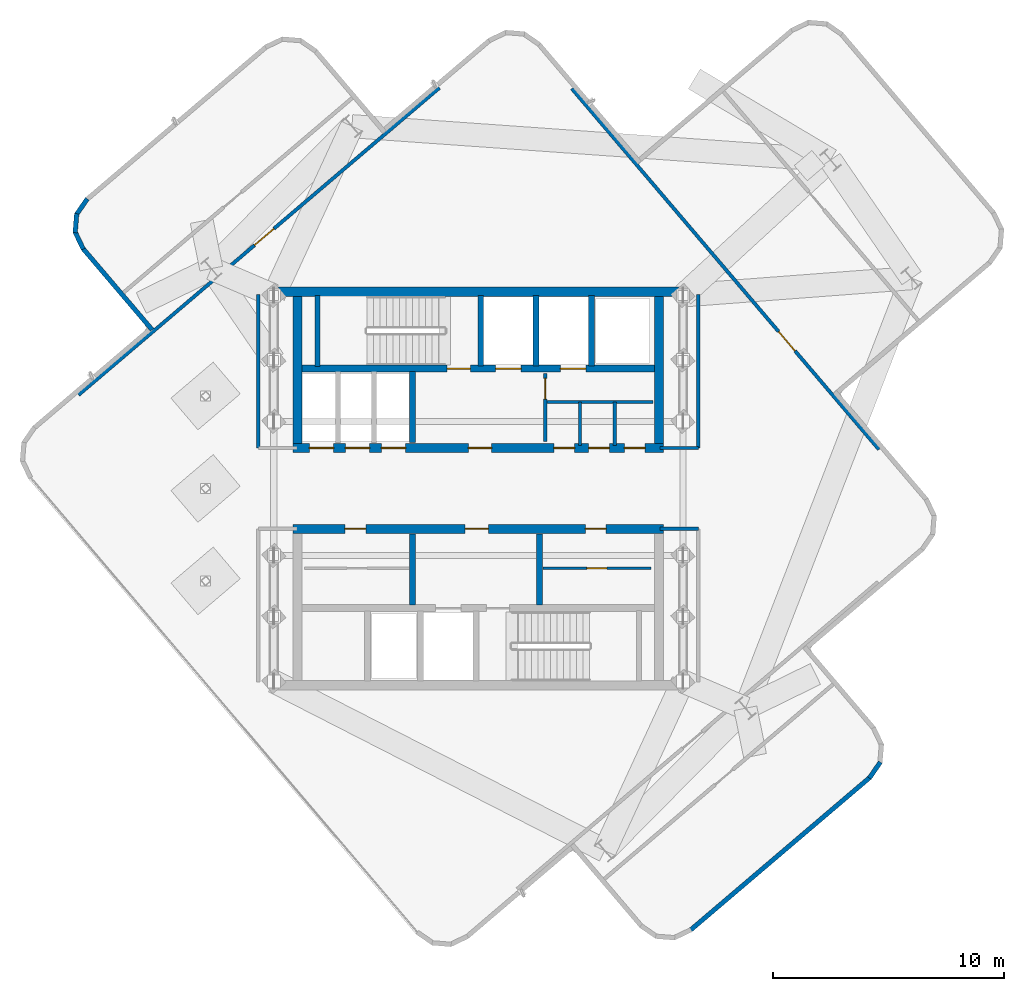
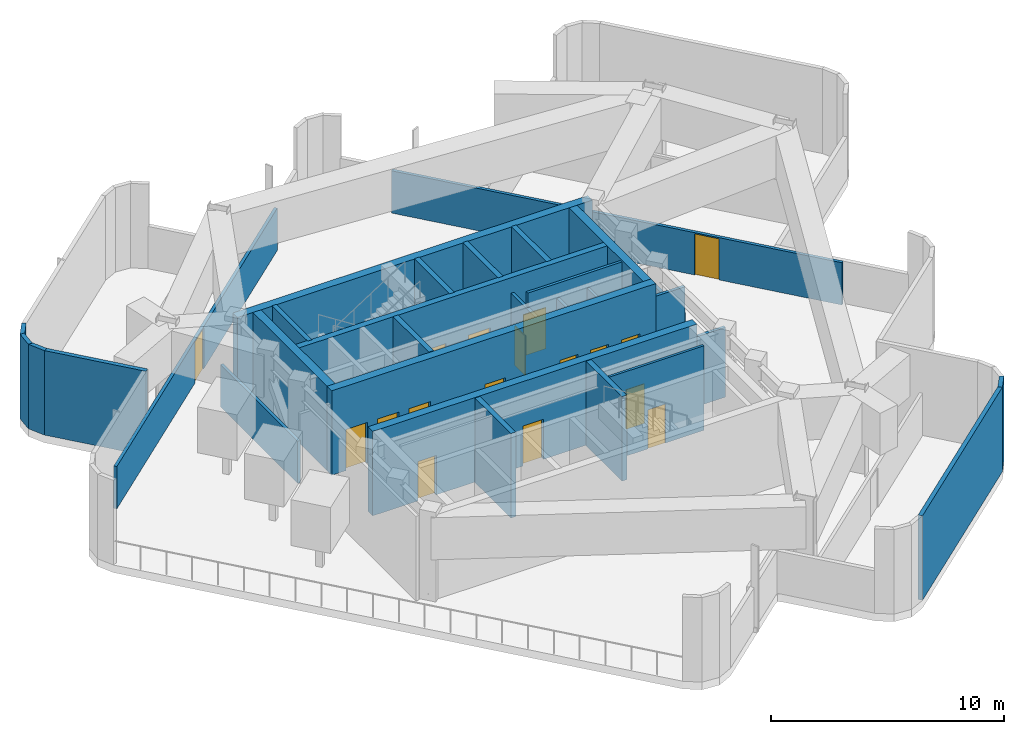
# One storey, part 3 of 7: 30 walls, 17 doors, 17 openings.
"""IFC4 building model written with IfcOpenShell, lengths in metres."""

import ifcopenshell
import ifcopenshell.guid

model = None  # the IFC model being written
_history = None  # IfcOwnerHistory: only IFC2X3 demands one
_inside = {}  # id of a spatial element -> (the spatial element, [elements in it])
_under = {}  # id of a project, library or spatial element -> (it, [spatial elements below it])
_declared = {}  # id of a project -> (the project, [libraries it declares])
_typed = {}  # id of a type object -> (the type object, [elements of that type])
_made_of = {}  # id of a material, layer set ... -> (it, [elements and type objects made of it])


def new_model(schema):
    """Start an empty IFC model of exactly this schema.

    Asked for "IFC4X3", IfcOpenShell would pick the latest addendum, in which some entities
    have other attributes; the version numbers below select the first issue.
    IFC2X3 requires an IfcOwnerHistory on every rooted entity: one is made here for all.
    """
    global model, _history
    if schema == "IFC4X3":
        model = ifcopenshell.file(schema_version=(4, 3, 0, 0))
    else:
        model = ifcopenshell.file(schema=schema)
    _inside.clear()
    _under.clear()
    _declared.clear()
    _typed.clear()
    _made_of.clear()
    _history = None
    if model.schema == "IFC2X3":
        org = make("IfcOrganization", Name="unknown")
        user = make(
            "IfcPersonAndOrganization",
            ThePerson=make("IfcPerson", FamilyName="unknown"),
            TheOrganization=org,
        )
        app = make(
            "IfcApplication",
            ApplicationDeveloper=org,
            Version="unknown",
            ApplicationFullName="unknown",
            ApplicationIdentifier="unknown",
        )
        _history = make(
            "IfcOwnerHistory",
            OwningUser=user,
            OwningApplication=app,
            ChangeAction="ADDED",
            CreationDate=0,
        )
    return model


def make(cls, **values):
    """One entity of the class cls with the attributes given. An attribute that is None is left unset."""
    return model.create_entity(
        cls, **{name: value for name, value in values.items() if value is not None}
    )


def rooted(cls, **values):
    """An entity with a GlobalId (a new one), such as an element, a storey or a relation."""
    return make(cls, GlobalId=ifcopenshell.guid.new(), OwnerHistory=_history, **values)


def si_unit(unit_type, name, prefix=None):
    """IfcSIUnit, for example si_unit("LENGTHUNIT", "METRE", prefix="MILLI")."""
    return make("IfcSIUnit", UnitType=unit_type, Prefix=prefix, Name=name)


def assignment(units):
    """IfcUnitAssignment: the units of a project."""
    return None if units is None else make("IfcUnitAssignment", Units=units)


def point(xyz):
    """IfcCartesianPoint."""
    return None if xyz is None else make("IfcCartesianPoint", Coordinates=xyz)


def direction(xyz):
    """IfcDirection."""
    return None if xyz is None else make("IfcDirection", DirectionRatios=xyz)


def frame(location, z_axis=None, x_axis=None):
    """IfcAxis2Placement3D, a coordinate frame: its origin and axes. An axis left out is left unset."""
    return make(
        "IfcAxis2Placement3D",
        Location=point(location),
        Axis=direction(z_axis),
        RefDirection=direction(x_axis),
    )


def frame_2d(location, x_axis=None):
    """IfcAxis2Placement2D, a coordinate frame in the plane: its origin and x axis."""
    return make(
        "IfcAxis2Placement2D", Location=point(location), RefDirection=direction(x_axis)
    )


def origin():
    """The frame at (0, 0, 0) with its axes left unset."""
    return frame((0.0, 0.0, 0.0))


def place(relative_to, where):
    """IfcLocalPlacement: puts the frame where relative to a parent placement (None: the world)."""
    return make(
        "IfcLocalPlacement", PlacementRelTo=relative_to, RelativePlacement=where
    )


def context(
    kind, dimensions, precision=None, world=None, true_north=None, identifier=None
):
    """IfcGeometricRepresentationContext, for example the 3D "Model" context."""
    return make(
        "IfcGeometricRepresentationContext",
        ContextIdentifier=identifier,
        ContextType=kind,
        CoordinateSpaceDimension=dimensions,
        Precision=precision,
        WorldCoordinateSystem=world,
        TrueNorth=true_north,
    )


def subcontext(parent, identifier, kind, view, scale=None):
    """IfcGeometricRepresentationSubContext, for example "Body" below "Model"."""
    return make(
        "IfcGeometricRepresentationSubContext",
        ContextIdentifier=identifier,
        ContextType=kind,
        ParentContext=parent,
        TargetScale=scale,
        TargetView=view,
    )


def project(units=None, contexts=None):
    """IfcProject with its units and contexts."""
    return rooted(
        "IfcProject",
        Name="project",
        RepresentationContexts=contexts,
        UnitsInContext=assignment(units),
    )


def spatial(cls, under=None, at=None, **own):
    """A site, building, storey or space (cls), placed at a placement, below another one or the project."""
    s = rooted(cls, ObjectPlacement=at, **own)
    if under is not None:
        _under.setdefault(under.id(), (under, []))[1].append(s)
    return s


def profile(cls, at=None, kind="AREA", **sizes):
    """A parametric profile (cls). Its sizes go by their IFC names, for example OverallWidth=200.0."""
    return make(cls, ProfileType=kind, Position=at, **sizes)


def rectangle(**sizes):
    """IfcRectangleProfileDef."""
    return profile("IfcRectangleProfileDef", **sizes)


def extrude(swept, where, along, depth):
    """IfcExtrudedAreaSolid: the profile swept, set in the frame where, extruded along a direction by depth."""
    return make(
        "IfcExtrudedAreaSolid",
        SweptArea=swept,
        Position=where,
        ExtrudedDirection=direction(along),
        Depth=depth,
    )


def shape(context_of_items, identifier, shape_type, items):
    """IfcShapeRepresentation: the items that make up one representation, for example the "Body"."""
    return make(
        "IfcShapeRepresentation",
        ContextOfItems=context_of_items,
        RepresentationIdentifier=identifier,
        RepresentationType=shape_type,
        Items=items,
    )


def material(Name=None, Category=None):
    """IfcMaterial."""
    return make("IfcMaterial", Name=Name, Category=Category)


def layer(
    of_material, thickness, ventilated=None, Name=None, Category=None, Priority=None
):
    """IfcMaterialLayer: one layer of a wall or slab, of a material (None: an air gap)."""
    return make(
        "IfcMaterialLayer",
        Material=of_material,
        LayerThickness=thickness,
        IsVentilated=ventilated,
        Name=Name,
        Category=Category,
        Priority=Priority,
    )


def layer_set(layers, Name=None):
    """IfcMaterialLayerSet."""
    return make("IfcMaterialLayerSet", MaterialLayers=layers, LayerSetName=Name)


def made_of(thing, what):
    """Note that an element or type object is made of a material, layer set ...; save() writes the relation."""
    if what is not None:
        _made_of.setdefault(what.id(), (what, []))[1].append(thing)
    return thing


def type_object(cls, material=None, **own):
    """A type object (cls), such as IfcWallType, which elements share."""
    return made_of(rooted(cls, **own), material)


def element(
    cls,
    number,
    at=None,
    inside=None,
    cuts=None,
    type_object=None,
    material=None,
    context=None,
    identifier="Body",
    shape_type=None,
    held_by="IfcProductDefinitionShape",
    body=None,
    shapes=None,
    **own,
):
    """One element of the class cls, such as IfcWall. Its Tag is "e" and its number.

    at: its placement. inside: the storey or other place that contains it. cuts: it is an
    opening in that element (IfcRelVoidsElement). A single representation is given by context,
    identifier, shape_type and body (its items); several are given by shapes. held_by: the class
    of the entity that holds the representations. save() writes the other relations.
    """
    e = rooted(cls, Tag="e%d" % number, ObjectPlacement=at, **own)
    if body is not None:
        shapes = [shape(context, identifier, shape_type, body)]
    if shapes is not None:
        e.Representation = make(held_by, Representations=shapes)
    if inside is not None:
        _inside.setdefault(inside.id(), (inside, []))[1].append(e)
    if cuts is not None:
        rooted(
            "IfcRelVoidsElement", RelatingBuildingElement=cuts, RelatedOpeningElement=e
        )
    if type_object is not None:
        _typed.setdefault(type_object.id(), (type_object, []))[1].append(e)
    return made_of(e, material)


def fill(opening, filler):
    """IfcRelFillsElement: the door or window that sits in an opening."""
    return rooted(
        "IfcRelFillsElement",
        RelatingOpeningElement=opening,
        RelatedBuildingElement=filler,
    )


def aggregate(whole, parts):
    """IfcRelAggregates: a whole, such as a stair, and the parts it consists of."""
    return rooted("IfcRelAggregates", RelatingObject=whole, RelatedObjects=parts)


def save(model, path):
    """Write the relations noted so far, then the file.

    IfcRelAggregates (storeys below a building ...), IfcRelContainedInSpatialStructure (elements
    in a storey), IfcRelDefinesByType, IfcRelAssociatesMaterial and IfcRelDeclares: one each for
    every whole, place, type object, material and project.
    """
    for whole, parts in _under.values():
        aggregate(whole, parts)
    for where, things in _inside.values():
        rooted(
            "IfcRelContainedInSpatialStructure",
            RelatedElements=things,
            RelatingStructure=where,
        )
    for kind, things in _typed.values():
        rooted("IfcRelDefinesByType", RelatedObjects=things, RelatingType=kind)
    for what, things in _made_of.values():
        rooted("IfcRelAssociatesMaterial", RelatedObjects=things, RelatingMaterial=what)
    for by, libraries in _declared.values():
        rooted("IfcRelDeclares", RelatingContext=by, RelatedDefinitions=libraries)
    model.write(path)


model = new_model("IFC4")

# Units and contexts
model_context = context("Model", 3, precision=1e-05, world=origin(), true_north=direction((0.0, 1.0)))
body_context = subcontext(model_context, "Body", "Model", "MODEL_VIEW")
ifc_project = project(units=[si_unit("LENGTHUNIT", "METRE"), si_unit("AREAUNIT", "SQUARE_METRE"), si_unit("VOLUMEUNIT", "CUBIC_METRE"), si_unit("PLANEANGLEUNIT", "RADIAN"), si_unit("MASSUNIT", "GRAM", prefix="KILO")], contexts=[model_context])

# Site, building, storey
site_placement = place(None, origin())
site = spatial("IfcSite", under=ifc_project, at=site_placement, CompositionType="ELEMENT")
building_placement = place(site_placement, origin())
building = spatial("IfcBuilding", under=site, at=building_placement, Name="Solmarez Civic Tower", CompositionType="ELEMENT")
storey_placement = place(building_placement, frame((0.0, 0.0, 239.39990234375)))
storey = spatial("IfcBuildingStorey", under=building, at=storey_placement, Name="L64", CompositionType="ELEMENT", Elevation=239.39990234375)

# Wall
ifc_material_1 = material(Name="Concrete C50/60", Category="concrete")
ifc_layer_1 = layer(ifc_material_1, 0.39990234375)
ifc_layer_set_1 = layer_set([ifc_layer_1], Name="Concrete C50/60")
wall_type_1 = type_object("IfcWallType", Name="WALL-CORE-400", PredefinedType="SHEAR", material=ifc_layer_set_1)
wall_1_placement = place(storey_placement, frame((-8.780029296875, 8.510009765625, 0.0), z_axis=(0.0, 0.0, 1.0), x_axis=(1.0, 0.0, 0.0)))
element("IfcWall", 1, at=wall_1_placement, inside=storey, type_object=wall_type_1, Name="L64 Split-Core Structural Wall NCW-N-L64", PredefinedType="SHEAR", context=body_context, shape_type="SweptSolid", body=[
    extrude(rectangle(XDim=17.56005859375, YDim=0.39990234375, at=frame_2d((8.780029296875, 0.0))), origin(), (0.0, 0.0, 1.0), 4.420166015625),
])

# Wall, openings, doors
wall_2_placement = place(storey_placement, frame((8.02001953125, 1.75, 0.0), z_axis=(0.0, 0.0, 1.0), x_axis=(-1.0, 0.0, 0.0)))
wall_2 = element("IfcWall", 2, at=wall_2_placement, inside=storey, type_object=wall_type_1, Name="L64 Split-Core Structural Wall NCW-S-L64", PredefinedType="SHEAR", context=body_context, shape_type="SweptSolid", body=[
    extrude(rectangle(XDim=16.0400390625, YDim=0.39990234375, at=frame_2d((8.02001953125, 0.0))), origin(), (0.0, 0.0, 1.0), 4.420166015625),
])
opening_1_placement = place(wall_2_placement, frame((7.449951171875, 0.0, 0.0)))
opening_1 = element("IfcOpeningElement", 3, at=opening_1_placement, cuts=wall_2, Name="Opening D-04", PredefinedType="OPENING", context=body_context, shape_type="SweptSolid", body=[
    extrude(rectangle(XDim=1.0, YDim=2.10009765625, at=frame_2d((0.5, 1.050048828125))), frame((0.0, 0.2099609375, 0.0), z_axis=(0.0, -1.0, 0.0), x_axis=(1.0, 0.0, 0.0)), (0.0, 0.0, 1.0), 0.419921875),
])
opening_2_placement = place(wall_2_placement, frame((14.284912109375, 0.0, 0.0)))
opening_2 = element("IfcOpeningElement", 4, at=opening_2_placement, cuts=wall_2, Name="Opening LD-01", PredefinedType="OPENING", context=body_context, shape_type="SweptSolid", body=[
    extrude(rectangle(XDim=1.050048828125, YDim=2.14990234375, at=frame_2d((0.52490234375, 1.074951171875))), frame((0.0, 0.2099609375, 0.0), z_axis=(0.0, -1.0, 0.0), x_axis=(1.0, 0.0, 0.0)), (0.0, 0.0, 1.0), 0.419921875),
])
opening_3_placement = place(wall_2_placement, frame((12.72509765625, 0.0, 0.0)))
opening_3 = element("IfcOpeningElement", 5, at=opening_3_placement, cuts=wall_2, Name="Opening LD-01", PredefinedType="OPENING", context=body_context, shape_type="SweptSolid", body=[
    extrude(rectangle(XDim=1.050048828125, YDim=2.14990234375, at=frame_2d((0.52490234375, 1.074951171875))), frame((0.0, 0.2099609375, 0.0), z_axis=(0.0, -1.0, 0.0), x_axis=(1.0, 0.0, 0.0)), (0.0, 0.0, 1.0), 0.419921875),
])
opening_4_placement = place(wall_2_placement, frame((11.1650390625, 0.0, 0.0)))
opening_4 = element("IfcOpeningElement", 6, at=opening_4_placement, cuts=wall_2, Name="Opening LD-01", PredefinedType="OPENING", context=body_context, shape_type="SweptSolid", body=[
    extrude(rectangle(XDim=1.050048828125, YDim=2.14990234375, at=frame_2d((0.52490234375, 1.074951171875))), frame((0.0, 0.2099609375, 0.0), z_axis=(0.0, -1.0, 0.0), x_axis=(1.0, 0.0, 0.0)), (0.0, 0.0, 1.0), 0.419921875),
])
opening_5_placement = place(wall_2_placement, frame((3.85009765625, 0.0, 0.0)))
opening_5 = element("IfcOpeningElement", 7, at=opening_5_placement, cuts=wall_2, Name="Opening D-09", PredefinedType="OPENING", context=body_context, shape_type="SweptSolid", body=[
    extrude(rectangle(XDim=0.89990234375, YDim=2.06005859375, at=frame_2d((0.449951171875, 1.030029296875))), frame((0.0, 0.2099609375, 0.0), z_axis=(0.0, -1.0, 0.0), x_axis=(1.0, 0.0, 0.0)), (0.0, 0.0, 1.0), 0.419921875),
])
opening_6_placement = place(wall_2_placement, frame((2.35009765625, 0.0, 0.0)))
opening_6 = element("IfcOpeningElement", 8, at=opening_6_placement, cuts=wall_2, Name="Opening D-09", PredefinedType="OPENING", context=body_context, shape_type="SweptSolid", body=[
    extrude(rectangle(XDim=0.89990234375, YDim=2.06005859375, at=frame_2d((0.449951171875, 1.030029296875))), frame((0.0, 0.2099609375, 0.0), z_axis=(0.0, -1.0, 0.0), x_axis=(1.0, 0.0, 0.0)), (0.0, 0.0, 1.0), 0.419921875),
])
opening_7_placement = place(wall_2_placement, frame((0.800048828125, 0.0, 0.0)))
opening_7 = element("IfcOpeningElement", 9, at=opening_7_placement, cuts=wall_2, Name="Opening D-09", PredefinedType="OPENING", context=body_context, shape_type="SweptSolid", body=[
    extrude(rectangle(XDim=0.89990234375, YDim=2.06005859375, at=frame_2d((0.449951171875, 1.030029296875))), frame((0.0, 0.2099609375, 0.0), z_axis=(0.0, -1.0, 0.0), x_axis=(1.0, 0.0, 0.0)), (0.0, 0.0, 1.0), 0.419921875),
])
ifc_material_2 = material(Name="Steel-Faced Acoustic Fire Door", Category="steel")
door_type_1 = type_object("IfcDoorType", Name="DOOR-FD60-1000", OperationType="NOTDEFINED", PredefinedType="DOOR", material=ifc_material_2)
door_1_placement = place(opening_1_placement, origin())
door_1 = element("IfcDoor", 10, at=door_1_placement, inside=storey, type_object=door_type_1, Name="L64 North Firefighting Lobby Door", OperationType="SINGLE_SWING_LEFT", OverallHeight=2.10009765625, OverallWidth=1.0, PredefinedType="DOOR", context=body_context, shape_type="SweptSolid", body=[
    extrude(rectangle(XDim=1.0, YDim=2.10009765625, at=frame_2d((0.5, 1.050048828125))), frame((0.0, 0.02490234375, 0.0), z_axis=(0.0, -1.0, 0.0), x_axis=(1.0, 0.0, 0.0)), (0.0, 0.0, 1.0), 0.050048828125),
])
fill(opening_1, door_1)
ifc_material_3 = material(Name="Fire-Rated Service Core Door", Category="wood")
door_type_2 = type_object("IfcDoorType", Name="DOOR-FD60-900", OperationType="NOTDEFINED", PredefinedType="DOOR", material=ifc_material_3)
door_2_placement = place(opening_5_placement, origin())
door_2 = element("IfcDoor", 11, at=door_2_placement, inside=storey, type_object=door_type_2, Name="L64 Core WC Door", OperationType="SINGLE_SWING_RIGHT", OverallHeight=2.06005859375, OverallWidth=0.89990234375, PredefinedType="DOOR", context=body_context, shape_type="SweptSolid", body=[
    extrude(rectangle(XDim=0.89990234375, YDim=2.06005859375, at=frame_2d((0.449951171875, 1.030029296875))), frame((0.0, 0.02490234375, 0.0), z_axis=(0.0, -1.0, 0.0), x_axis=(1.0, 0.0, 0.0)), (0.0, 0.0, 1.0), 0.050048828125),
])
fill(opening_5, door_2)
door_3_placement = place(opening_6_placement, origin())
door_3 = element("IfcDoor", 12, at=door_3_placement, inside=storey, type_object=door_type_2, Name="L64 Core CL Door", OperationType="SINGLE_SWING_LEFT", OverallHeight=2.06005859375, OverallWidth=0.89990234375, PredefinedType="DOOR", context=body_context, shape_type="SweptSolid", body=[
    extrude(rectangle(XDim=0.89990234375, YDim=2.06005859375, at=frame_2d((0.449951171875, 1.030029296875))), frame((0.0, 0.02490234375, 0.0), z_axis=(0.0, -1.0, 0.0), x_axis=(1.0, 0.0, 0.0)), (0.0, 0.0, 1.0), 0.050048828125),
])
fill(opening_6, door_3)
door_4_placement = place(opening_7_placement, origin())
door_4 = element("IfcDoor", 13, at=door_4_placement, inside=storey, type_object=door_type_2, Name="L64 Core IT Door", OperationType="SINGLE_SWING_LEFT", OverallHeight=2.06005859375, OverallWidth=0.89990234375, PredefinedType="DOOR", context=body_context, shape_type="SweptSolid", body=[
    extrude(rectangle(XDim=0.89990234375, YDim=2.06005859375, at=frame_2d((0.449951171875, 1.030029296875))), frame((0.0, 0.02490234375, 0.0), z_axis=(0.0, -1.0, 0.0), x_axis=(1.0, 0.0, 0.0)), (0.0, 0.0, 1.0), 0.050048828125),
])
fill(opening_7, door_4)
ifc_material_4 = material(Name="Bronze Passenger Lift Landing Sliding Door", Category="aluminium")
door_type_3 = type_object("IfcDoorType", Name="DOOR-LD-PAX-1050", OperationType="DOUBLE_DOOR_SLIDING", PredefinedType="DOOR", material=ifc_material_4)
door_5_placement = place(opening_2_placement, origin())
door_5 = element("IfcDoor", 14, at=door_5_placement, inside=storey, type_object=door_type_3, Name="L64 High-Rise Lift Landing Door PL-H1", OperationType="DOUBLE_DOOR_SLIDING", OverallHeight=2.14990234375, OverallWidth=1.050048828125, PredefinedType="DOOR", context=body_context, shape_type="SweptSolid", body=[
    extrude(rectangle(XDim=1.050048828125, YDim=2.14990234375, at=frame_2d((0.52490234375, 1.074951171875))), frame((0.0, 0.02490234375, 0.0), z_axis=(0.0, -1.0, 0.0), x_axis=(1.0, 0.0, 0.0)), (0.0, 0.0, 1.0), 0.050048828125),
])
fill(opening_2, door_5)
door_6_placement = place(opening_3_placement, origin())
door_6 = element("IfcDoor", 15, at=door_6_placement, inside=storey, type_object=door_type_3, Name="L64 High-Rise Lift Landing Door PL-H2", OperationType="DOUBLE_DOOR_SLIDING", OverallHeight=2.14990234375, OverallWidth=1.050048828125, PredefinedType="DOOR", context=body_context, shape_type="SweptSolid", body=[
    extrude(rectangle(XDim=1.050048828125, YDim=2.14990234375, at=frame_2d((0.52490234375, 1.074951171875))), frame((0.0, 0.02490234375, 0.0), z_axis=(0.0, -1.0, 0.0), x_axis=(1.0, 0.0, 0.0)), (0.0, 0.0, 1.0), 0.050048828125),
])
fill(opening_3, door_6)
door_7_placement = place(opening_4_placement, origin())
door_7 = element("IfcDoor", 16, at=door_7_placement, inside=storey, type_object=door_type_3, Name="L64 High-Rise Lift Landing Door PL-H3", OperationType="DOUBLE_DOOR_SLIDING", OverallHeight=2.14990234375, OverallWidth=1.050048828125, PredefinedType="DOOR", context=body_context, shape_type="SweptSolid", body=[
    extrude(rectangle(XDim=1.050048828125, YDim=2.14990234375, at=frame_2d((0.52490234375, 1.074951171875))), frame((0.0, 0.02490234375, 0.0), z_axis=(0.0, -1.0, 0.0), x_axis=(1.0, 0.0, 0.0)), (0.0, 0.0, 1.0), 0.050048828125),
])
fill(opening_4, door_7)

# Walls
for number, where, z_axis, x_axis, name in (
    (17, (-7.820068359375, 1.949951171875, 0.0), (0.0, 0.0, 1.0), (0.0, 1.0, 0.0), "L64 Split-Core Structural Wall NCW-W-L64"),
    (18, (7.820068359375, 8.31005859375, 0.0), (0.0, 0.0, 1.0), (0.0, -1.0, 0.0), "L64 Split-Core Structural Wall NCW-E-L64"),
):
    element("IfcWall", number, at=place(storey_placement, frame(where, z_axis=z_axis, x_axis=x_axis)), inside=storey, type_object=wall_type_1, Name=name, PredefinedType="SHEAR", context=body_context, shape_type="SweptSolid", body=[
        extrude(rectangle(XDim=6.360107421875, YDim=0.39990234375, at=frame_2d((3.18017578125, 0.0))), origin(), (0.0, 0.0, 1.0), 4.420166015625),
    ])

# Wall, openings, doors
wall_3_placement = place(storey_placement, frame((-8.02001953125, -1.75, 0.0), z_axis=(0.0, 0.0, 1.0), x_axis=(1.0, 0.0, 0.0)))
wall_3 = element("IfcWall", 19, at=wall_3_placement, inside=storey, type_object=wall_type_1, Name="L64 Split-Core Structural Wall SCW-N-L64", PredefinedType="SHEAR", context=body_context, shape_type="SweptSolid", body=[
    extrude(rectangle(XDim=16.0400390625, YDim=0.39990234375, at=frame_2d((8.02001953125, 0.0))), origin(), (0.0, 0.0, 1.0), 4.420166015625),
])
opening_8_placement = place(wall_3_placement, frame((7.449951171875, 0.0, 0.0)))
opening_8 = element("IfcOpeningElement", 20, at=opening_8_placement, cuts=wall_3, Name="Opening D-04", PredefinedType="OPENING", context=body_context, shape_type="SweptSolid", body=[
    extrude(rectangle(XDim=1.0, YDim=2.10009765625, at=frame_2d((0.5, 1.050048828125))), frame((0.0, 0.2099609375, 0.0), z_axis=(0.0, -1.0, 0.0), x_axis=(1.0, 0.0, 0.0)), (0.0, 0.0, 1.0), 0.419921875),
])
opening_9_placement = place(wall_3_placement, frame((12.64990234375, 0.0, 0.0)))
opening_9 = element("IfcOpeningElement", 21, at=opening_9_placement, cuts=wall_3, Name="Opening D-09", PredefinedType="OPENING", context=body_context, shape_type="SweptSolid", body=[
    extrude(rectangle(XDim=0.89990234375, YDim=2.06005859375, at=frame_2d((0.449951171875, 1.030029296875))), frame((0.0, 0.2099609375, 0.0), z_axis=(0.0, -1.0, 0.0), x_axis=(1.0, 0.0, 0.0)), (0.0, 0.0, 1.0), 0.419921875),
])
opening_10_placement = place(wall_3_placement, frame((2.25, 0.0, 0.0)))
opening_10 = element("IfcOpeningElement", 22, at=opening_10_placement, cuts=wall_3, Name="Opening D-09", PredefinedType="OPENING", context=body_context, shape_type="SweptSolid", body=[
    extrude(rectangle(XDim=0.89990234375, YDim=2.06005859375, at=frame_2d((0.449951171875, 1.030029296875))), frame((0.0, 0.2099609375, 0.0), z_axis=(0.0, -1.0, 0.0), x_axis=(1.0, 0.0, 0.0)), (0.0, 0.0, 1.0), 0.419921875),
])
door_8_placement = place(opening_8_placement, origin())
door_8 = element("IfcDoor", 23, at=door_8_placement, inside=storey, type_object=door_type_1, Name="L64 South Firefighting Lobby Door", OperationType="SINGLE_SWING_RIGHT", OverallHeight=2.10009765625, OverallWidth=1.0, PredefinedType="DOOR", context=body_context, shape_type="SweptSolid", body=[
    extrude(rectangle(XDim=1.0, YDim=2.10009765625, at=frame_2d((0.5, 1.050048828125))), frame((0.0, 0.02490234375, 0.0), z_axis=(0.0, -1.0, 0.0), x_axis=(1.0, 0.0, 0.0)), (0.0, 0.0, 1.0), 0.050048828125),
])
fill(opening_8, door_8)
door_9_placement = place(opening_9_placement, origin())
door_9 = element("IfcDoor", 24, at=door_9_placement, inside=storey, type_object=door_type_2, Name="L64 Freed Hoistway Mailroom Door", OperationType="SINGLE_SWING_LEFT", OverallHeight=2.06005859375, OverallWidth=0.89990234375, PredefinedType="DOOR", context=body_context, shape_type="SweptSolid", body=[
    extrude(rectangle(XDim=0.89990234375, YDim=2.06005859375, at=frame_2d((0.449951171875, 1.030029296875))), frame((0.0, 0.02490234375, 0.0), z_axis=(0.0, -1.0, 0.0), x_axis=(1.0, 0.0, 0.0)), (0.0, 0.0, 1.0), 0.050048828125),
])
fill(opening_9, door_9)
door_10_placement = place(opening_10_placement, origin())
door_10 = element("IfcDoor", 25, at=door_10_placement, inside=storey, type_object=door_type_2, Name="L64 Staff Kitchenette Pantry Door", OperationType="SINGLE_SWING_RIGHT", OverallHeight=2.06005859375, OverallWidth=0.89990234375, PredefinedType="DOOR", context=body_context, shape_type="SweptSolid", body=[
    extrude(rectangle(XDim=0.89990234375, YDim=2.06005859375, at=frame_2d((0.449951171875, 1.030029296875))), frame((0.0, 0.02490234375, 0.0), z_axis=(0.0, -1.0, 0.0), x_axis=(1.0, 0.0, 0.0)), (0.0, 0.0, 1.0), 0.050048828125),
])
fill(opening_10, door_10)

# Walls
ifc_material_5 = material(Name="Precast concrete C40/50", Category="concrete")
ifc_layer_2 = layer(ifc_material_5, 0.199951171875)
ifc_layer_set_2 = layer_set([ifc_layer_2], Name="Precast concrete C40/50")
wall_type_2 = type_object("IfcWallType", Name="WALL-EXT-200", PredefinedType="SOLIDWALL", material=ifc_layer_set_2)
wall_4_placement = place(storey_placement, frame((-14.111083984375, 6.860107421875, 0.0), z_axis=(0.0, 0.0, 1.0), x_axis=(-0.648040740079, 0.761605671721, 0.0)))
element("IfcWall", 26, at=wall_4_placement, inside=storey, type_object=wall_type_2, Name="L64 Exterior Precast Wall 13", PredefinedType="SOLIDWALL", context=body_context, shape_type="SweptSolid", body=[
    extrude(rectangle(XDim=4.641357421875, YDim=0.199951171875, at=frame_2d((2.32080078125, 0.0))), origin(), (0.0, 0.0, 1.0), 4.420166015625),
])
wall_5_placement = place(storey_placement, frame((-17.092041015625, 10.35302734375, 0.0), z_axis=(0.0, 0.0, 1.0), x_axis=(-0.42979812108, 0.902925010793, 0.0)))
element("IfcWall", 27, at=wall_5_placement, inside=storey, type_object=wall_type_2, Name="L64 Exterior Precast Wall 14", PredefinedType="SOLIDWALL", context=body_context, shape_type="SweptSolid", body=[
    extrude(rectangle(XDim=0.839599609375, YDim=0.199951171875, at=frame_2d((0.419921875, 0.0))), origin(), (0.0, 0.0, 1.0), 4.420166015625),
])
wall_6_placement = place(storey_placement, frame((-17.444091796875, 11.06298828125, 0.0), z_axis=(0.0, 0.0, 1.0), x_axis=(0.081404017248, 0.996681185724, 0.0)))
element("IfcWall", 28, at=wall_6_placement, inside=storey, type_object=wall_type_2, Name="L64 Exterior Precast Wall 15", PredefinedType="SOLIDWALL", context=body_context, shape_type="SweptSolid", body=[
    extrude(rectangle(XDim=0.82470703125, YDim=0.199951171875, at=frame_2d((0.412353515625, 0.0))), origin(), (0.0, 0.0, 1.0), 4.420166015625),
])
for number, where, z_axis, x_axis, name in (
    (29, (-17.39306640625, 11.839111328125, 0.0), (0.0, 0.0, 1.0), (0.566602962866, 0.823990948052, 0.0), "L64 Exterior Precast Wall 16"),
    (30, (17.39306640625, -11.839111328125, 0.0), (0.0, 0.0, 1.0), (-0.566602962866, -0.823990948052, 0.0), "L64 Exterior Precast Wall 52"),
):
    element("IfcWall", number, at=place(storey_placement, frame(where, z_axis=z_axis, x_axis=x_axis)), inside=storey, type_object=wall_type_2, Name=name, PredefinedType="SOLIDWALL", context=body_context, shape_type="SweptSolid", body=[
        extrude(rectangle(XDim=0.838623046875, YDim=0.199951171875, at=frame_2d((0.41943359375, 0.0))), origin(), (0.0, 0.0, 1.0), 4.420166015625),
    ])
wall_7_placement = place(storey_placement, frame((16.950927734375, -12.492919921875, 0.0), z_axis=(0.0, 0.0, 1.0), x_axis=(-0.761554435907, -0.648100949814, 0.0)))
element("IfcWall", 31, at=wall_7_placement, inside=storey, type_object=wall_type_2, Name="L64 Exterior Precast Wall 53", PredefinedType="SOLIDWALL", context=body_context, shape_type="SweptSolid", body=[
    extrude(rectangle(XDim=10.2236328125, YDim=0.199951171875, at=frame_2d((5.11181640625, 0.0))), origin(), (0.0, 0.0, 1.0), 4.420166015625),
])
ifc_material_6 = material(Name="Gypsum Board Acoustic Steel-Stud Partition", Category="steel")
ifc_layer_3 = layer(ifc_material_6, 0.14990234375)
ifc_layer_set_3 = layer_set([ifc_layer_3], Name="Gypsum Board Acoustic Steel-Stud Partition")
wall_type_3 = type_object("IfcWallType", Name="WALL-INT-FIRE-150", PredefinedType="PARTITIONING", material=ifc_layer_set_3)
for number, where, z_axis, x_axis, name in (
    (32, (-9.52001953125, 1.75, 0.0), (0.0, 0.0, 1.0), (0.0, 1.0, 0.0), "L64 Interior Partition CHW-L64-WN1"),
    (33, (9.52001953125, 1.75, 0.0), (0.0, 0.0, 1.0), (0.0, 1.0, 0.0), "L64 Interior Partition CHW-L64-EN1"),
):
    element("IfcWall", number, at=place(storey_placement, frame(where, z_axis=z_axis, x_axis=x_axis)), inside=storey, type_object=wall_type_3, Name=name, PredefinedType="PARTITIONING", context=body_context, shape_type="SweptSolid", body=[
        extrude(rectangle(XDim=6.6298828125, YDim=0.14990234375, at=frame_2d((3.31494140625, 0.0))), origin(), (0.0, 0.0, 1.0), 2.212158203125),
    ])
for number, where, z_axis, x_axis, name in (
    (34, (7.85009765625, 1.75, 0.0), (0.0, 0.0, 1.0), (1.0, 0.0, 0.0), "L64 Interior Partition CHW-L64-EN3"),
    (35, (7.85009765625, -1.75, 0.0), (0.0, 0.0, 1.0), (1.0, 0.0, 0.0), "L64 Interior Partition CHW-L64-ES3"),
):
    element("IfcWall", number, at=place(storey_placement, frame(where, z_axis=z_axis, x_axis=x_axis)), inside=storey, type_object=wall_type_3, Name=name, PredefinedType="PARTITIONING", context=body_context, shape_type="SweptSolid", body=[
        extrude(rectangle(XDim=1.669921875, YDim=0.14990234375, at=frame_2d((0.8349609375, 0.0))), origin(), (0.0, 0.0, 1.0), 3.650146484375),
    ])

# Wall, opening, door
wall_8_placement = place(storey_placement, frame((4.044921875, 17.2958984375, 0.0), z_axis=(0.0, 0.0, 1.0), x_axis=(0.648103934292, -0.761551896035, 0.0)))
wall_8 = element("IfcWall", 36, at=wall_8_placement, inside=storey, type_object=wall_type_3, Name="L64 Interior Partition PT-L64-E-ENT", PredefinedType="PARTITIONING", context=body_context, shape_type="SweptSolid", body=[
    extrude(rectangle(XDim=20.5, YDim=0.14990234375, at=frame_2d((10.25, 0.0))), origin(), (0.0, 0.0, 1.0), 2.212158203125),
])
opening_11_placement = place(wall_8_placement, frame((13.799072265625, 0.0, 0.0)))
opening_11 = element("IfcOpeningElement", 37, at=opening_11_placement, cuts=wall_8, Name="Opening D-07", PredefinedType="OPENING", context=body_context, shape_type="SweptSolid", body=[
    extrude(rectangle(XDim=1.10009765625, YDim=2.14990234375, at=frame_2d((0.550048828125, 1.074951171875))), frame((0.0, 0.0849609375, 0.0), z_axis=(0.0, -1.0, 0.0), x_axis=(1.0, 0.0, 0.0)), (0.0, 0.0, 1.0), 0.169921875),
])
ifc_material_7 = material(Name="Heavy-Duty Fire Exit Door", Category="wood")
door_type_4 = type_object("IfcDoorType", Name="DOOR-FD90-1100", OperationType="NOTDEFINED", PredefinedType="DOOR", material=ifc_material_7)
door_11_placement = place(opening_11_placement, origin())
door_11 = element("IfcDoor", 38, at=door_11_placement, inside=storey, type_object=door_type_4, Name="L64 East Protected Refuge Area Door", OperationType="SINGLE_SWING_LEFT", OverallHeight=2.14990234375, OverallWidth=1.10009765625, PredefinedType="DOOR", context=body_context, shape_type="SweptSolid", body=[
    extrude(rectangle(XDim=1.10009765625, YDim=2.14990234375, at=frame_2d((0.550048828125, 1.074951171875))), frame((0.0, 0.02490234375, 0.0), z_axis=(0.0, -1.0, 0.0), x_axis=(1.0, 0.0, 0.0)), (0.0, 0.0, 1.0), 0.050048828125),
])
fill(opening_11, door_11)

wall_9_placement = place(storey_placement, frame((-17.2958984375, 4.044921875, 0.0), z_axis=(0.0, 0.0, 1.0), x_axis=(0.761551896035, 0.648103934292, 0.0)))
wall_9 = element("IfcWall", 39, at=wall_9_placement, inside=storey, type_object=wall_type_3, Name="L64 Interior Partition PT-L64-N-ENT", PredefinedType="PARTITIONING", context=body_context, shape_type="SweptSolid", body=[
    extrude(rectangle(XDim=20.5, YDim=0.14990234375, at=frame_2d((10.25, 0.0))), origin(), (0.0, 0.0, 1.0), 2.212158203125),
])
opening_12_placement = place(wall_9_placement, frame((9.9990234375, 0.0, 0.0)))
opening_12 = element("IfcOpeningElement", 40, at=opening_12_placement, cuts=wall_9, Name="Opening D-07", PredefinedType="OPENING", context=body_context, shape_type="SweptSolid", body=[
    extrude(rectangle(XDim=1.10009765625, YDim=2.14990234375, at=frame_2d((0.550048828125, 1.074951171875))), frame((0.0, 0.0849609375, 0.0), z_axis=(0.0, -1.0, 0.0), x_axis=(1.0, 0.0, 0.0)), (0.0, 0.0, 1.0), 0.169921875),
])
door_12_placement = place(opening_12_placement, origin())
door_12 = element("IfcDoor", 41, at=door_12_placement, inside=storey, type_object=door_type_4, Name="L64 Chiller and Cooling Plant Room Door", OperationType="SINGLE_SWING_LEFT", OverallHeight=2.14990234375, OverallWidth=1.10009765625, PredefinedType="DOOR", context=body_context, shape_type="SweptSolid", body=[
    extrude(rectangle(XDim=1.10009765625, YDim=2.14990234375, at=frame_2d((0.550048828125, 1.074951171875))), frame((0.0, 0.02490234375, 0.0), z_axis=(0.0, -1.0, 0.0), x_axis=(1.0, 0.0, 0.0)), (0.0, 0.0, 1.0), 0.050048828125),
])
fill(opening_12, door_12)

ifc_layer_4 = layer(ifc_material_6, 0.1201171875)
ifc_layer_set_4 = layer_set([ifc_layer_4], Name="Gypsum Board Acoustic Steel-Stud Partition")
wall_type_4 = type_object("IfcWallType", Name="WALL-INT-PART-120", PredefinedType="PARTITIONING", material=ifc_layer_set_4)
wall_10_placement = place(storey_placement, frame((2.800048828125, -3.449951171875, 0.0), z_axis=(0.0, 0.0, 1.0), x_axis=(1.0, 0.0, 0.0)))
wall_10 = element("IfcWall", 42, at=wall_10_placement, inside=storey, type_object=wall_type_4, Name="L64 Interior Partition PT-FPLL-L64", PredefinedType="PARTITIONING", context=body_context, shape_type="SweptSolid", body=[
    extrude(rectangle(XDim=4.679931640625, YDim=0.1201171875, at=frame_2d((2.33984375, 0.0))), origin(), (0.0, 0.0, 1.0), 4.420166015625),
])
opening_13_placement = place(wall_10_placement, frame((1.89990234375, 0.0, 0.0)))
opening_13 = element("IfcOpeningElement", 43, at=opening_13_placement, cuts=wall_10, Name="Opening D-14", PredefinedType="OPENING", context=body_context, shape_type="SweptSolid", body=[
    extrude(rectangle(XDim=0.860107421875, YDim=2.0400390625, at=frame_2d((0.43017578125, 1.02001953125))), frame((0.0, 0.070068359375, 0.0), z_axis=(0.0, -1.0, 0.0), x_axis=(1.0, 0.0, 0.0)), (0.0, 0.0, 1.0), 0.14013671875),
])
ifc_material_8 = material(Name="Timber Storage and Pantry Door", Category="wood")
door_type_5 = type_object("IfcDoorType", Name="DOOR-INT-850", OperationType="NOTDEFINED", PredefinedType="DOOR", material=ifc_material_8)
door_13_placement = place(opening_13_placement, origin())
door_13 = element("IfcDoor", 44, at=door_13_placement, inside=storey, type_object=door_type_5, Name="L64 Records Filing Room Door", OperationType="SINGLE_SWING_LEFT", OverallHeight=2.0400390625, OverallWidth=0.860107421875, PredefinedType="DOOR", context=body_context, shape_type="SweptSolid", body=[
    extrude(rectangle(XDim=0.860107421875, YDim=2.0400390625, at=frame_2d((0.43017578125, 1.02001953125))), frame((0.0, 0.02490234375, 0.0), z_axis=(0.0, -1.0, 0.0), x_axis=(1.0, 0.0, 0.0)), (0.0, 0.0, 1.0), 0.050048828125),
])
fill(opening_13, door_13)

ifc_layer_5 = layer(ifc_material_6, 0.159912109375)
ifc_layer_set_5 = layer_set([ifc_layer_5], Name="Gypsum Board Acoustic Steel-Stud Partition")
wall_type_5 = type_object("IfcWallType", Name="WALL-INT-SHAFT-160", PredefinedType="PARTITIONING", material=ifc_layer_set_5)
wall_11_placement = place(storey_placement, frame((2.89990234375, 2.0400390625, 0.0), z_axis=(0.0, 0.0, 1.0), x_axis=(0.0, 1.0, 0.0)))
wall_11 = element("IfcWall", 45, at=wall_11_placement, inside=storey, type_object=wall_type_5, Name="L64 Interior Partition SHW-NL2-L64", PredefinedType="PARTITIONING", context=body_context, shape_type="SweptSolid", body=[
    extrude(rectangle(XDim=2.93994140625, YDim=0.159912109375, at=frame_2d((1.469970703125, 0.0))), origin(), (0.0, 0.0, 1.0), 3.650146484375),
])
opening_14_placement = place(wall_11_placement, frame((1.820068359375, 0.0, 0.0)))
opening_14 = element("IfcOpeningElement", 46, at=opening_14_placement, cuts=wall_11, Name="Opening D-09", PredefinedType="OPENING", context=body_context, shape_type="SweptSolid", body=[
    extrude(rectangle(XDim=0.89990234375, YDim=2.06005859375, at=frame_2d((0.449951171875, 1.030029296875))), frame((0.0, 0.08984375, 0.0), z_axis=(0.0, -1.0, 0.0), x_axis=(1.0, 0.0, 0.0)), (0.0, 0.0, 1.0), 0.179931640625),
])
door_14_placement = place(opening_14_placement, origin())
door_14 = element("IfcDoor", 47, at=door_14_placement, inside=storey, type_object=door_type_2, Name="L64 Service Lift Lobby Door", OperationType="SINGLE_SWING_LEFT", OverallHeight=2.06005859375, OverallWidth=0.89990234375, PredefinedType="DOOR", context=body_context, shape_type="SweptSolid", body=[
    extrude(rectangle(XDim=0.89990234375, YDim=2.06005859375, at=frame_2d((0.449951171875, 1.030029296875))), frame((0.0, 0.02490234375, 0.0), z_axis=(0.0, -1.0, 0.0), x_axis=(1.0, 0.0, 0.0)), (0.0, 0.0, 1.0), 0.050048828125),
])
fill(opening_14, door_14)

# Walls
ifc_layer_6 = layer(ifc_material_6, 0.137939453125)
ifc_layer_set_6 = layer_set([ifc_layer_6], Name="Gypsum Board Acoustic Steel-Stud Partition")
wall_type_6 = type_object("IfcWallType", Name="WALL-INT-WET-140", PredefinedType="PARTITIONING", material=ifc_layer_set_6)
wall_12_placement = place(storey_placement, frame((2.89990234375, 3.739990234375, 0.0), z_axis=(0.0, 0.0, 1.0), x_axis=(1.0, 0.0, 0.0)))
element("IfcWall", 48, at=wall_12_placement, inside=storey, type_object=wall_type_6, Name="L64 Interior Partition SHW-SVH-L64", PredefinedType="PARTITIONING", context=body_context, shape_type="SweptSolid", body=[
    extrude(rectangle(XDim=4.650146484375, YDim=0.137939453125, at=frame_2d((2.3251953125, 0.0))), origin(), (0.0, 0.0, 1.0), 4.420166015625),
])
for number, where, z_axis, x_axis, name in (
    (49, (4.39990234375, 1.85009765625, 0.0), (0.0, 0.0, 1.0), (0.0, 1.0, 0.0), "L64 Interior Partition PT-NCSV1-L64"),
    (50, (5.89990234375, 1.85009765625, 0.0), (0.0, 0.0, 1.0), (0.0, 1.0, 0.0), "L64 Interior Partition PT-NCSV2-L64"),
):
    element("IfcWall", number, at=place(storey_placement, frame(where, z_axis=z_axis, x_axis=x_axis)), inside=storey, type_object=wall_type_6, Name=name, PredefinedType="PARTITIONING", context=body_context, shape_type="SweptSolid", body=[
        extrude(rectangle(XDim=1.889892578125, YDim=0.137939453125, at=frame_2d((0.94482421875, 0.0))), origin(), (0.0, 0.0, 1.0), 3.650146484375),
    ])

# Wall, openings, doors
ifc_layer_7 = layer(ifc_material_1, 0.300048828125)
ifc_layer_set_7 = layer_set([ifc_layer_7], Name="Concrete C50/60")
wall_type_7 = type_object("IfcWallType", Name="WALL-STR-300", PredefinedType="SOLIDWALL", material=ifc_layer_set_7)
wall_13_placement = place(storey_placement, frame((7.6201171875, 5.179931640625, 0.0), z_axis=(0.0, 0.0, 1.0), x_axis=(-1.0, 0.0, 0.0)))
wall_13 = element("IfcWall", 51, at=wall_13_placement, inside=storey, type_object=wall_type_7, Name="L64 Split-Core Structural Wall NCW-M-L64", PredefinedType="SOLIDWALL", context=body_context, shape_type="SweptSolid", body=[
    extrude(rectangle(XDim=15.240234375, YDim=0.300048828125, at=frame_2d((7.6201171875, 0.0))), origin(), (0.0, 0.0, 1.0), 4.420166015625),
])
opening_15_placement = place(wall_13_placement, frame((5.77001953125, 0.0, 0.0)))
opening_15 = element("IfcOpeningElement", 52, at=opening_15_placement, cuts=wall_13, Name="Opening LD-02", PredefinedType="OPENING", context=body_context, shape_type="SweptSolid", body=[
    extrude(rectangle(XDim=1.10009765625, YDim=2.14990234375, at=frame_2d((0.550048828125, 1.074951171875))), frame((0.0, 0.159912109375, 0.0), z_axis=(0.0, -1.0, 0.0), x_axis=(1.0, 0.0, 0.0)), (0.0, 0.0, 1.0), 0.320068359375),
])
opening_16_placement = place(wall_13_placement, frame((2.969970703125, 0.0, 0.0)))
opening_16 = element("IfcOpeningElement", 53, at=opening_16_placement, cuts=wall_13, Name="Opening LD-03", PredefinedType="OPENING", context=body_context, shape_type="SweptSolid", body=[
    extrude(rectangle(XDim=1.10009765625, YDim=2.14990234375, at=frame_2d((0.550048828125, 1.074951171875))), frame((0.0, 0.159912109375, 0.0), z_axis=(0.0, -1.0, 0.0), x_axis=(1.0, 0.0, 0.0)), (0.0, 0.0, 1.0), 0.320068359375),
])
opening_17_placement = place(wall_13_placement, frame((7.969970703125, 0.0, 0.0)))
opening_17 = element("IfcOpeningElement", 54, at=opening_17_placement, cuts=wall_13, Name="Opening D-05", PredefinedType="OPENING", context=body_context, shape_type="SweptSolid", body=[
    extrude(rectangle(XDim=1.0, YDim=2.10009765625, at=frame_2d((0.5, 1.050048828125))), frame((0.0, 0.159912109375, 0.0), z_axis=(0.0, -1.0, 0.0), x_axis=(1.0, 0.0, 0.0)), (0.0, 0.0, 1.0), 0.320068359375),
])
ifc_material_9 = material(Name="Fire-Rated Stairwell Exit Door", Category="wood")
door_type_6 = type_object("IfcDoorType", Name="DOOR-FD90-1000", OperationType="NOTDEFINED", PredefinedType="DOOR", material=ifc_material_9)
door_15_placement = place(opening_17_placement, origin())
door_15 = element("IfcDoor", 55, at=door_15_placement, inside=storey, type_object=door_type_6, Name="L64 North Exit Stair Door ST-1", OperationType="SINGLE_SWING_LEFT", OverallHeight=2.10009765625, OverallWidth=1.0, PredefinedType="DOOR", context=body_context, shape_type="SweptSolid", body=[
    extrude(rectangle(XDim=1.0, YDim=2.10009765625, at=frame_2d((0.5, 1.050048828125))), frame((0.0, 0.02490234375, 0.0), z_axis=(0.0, -1.0, 0.0), x_axis=(1.0, 0.0, 0.0)), (0.0, 0.0, 1.0), 0.050048828125),
])
fill(opening_17, door_15)
ifc_material_10 = material(Name="Stainless Firefighting Lift Landing Sliding Door", Category="aluminium")
door_type_7 = type_object("IfcDoorType", Name="DOOR-LD-FF-1100", OperationType="DOUBLE_DOOR_SLIDING", PredefinedType="DOOR", material=ifc_material_10)
door_16_placement = place(opening_15_placement, origin())
door_16 = element("IfcDoor", 56, at=door_16_placement, inside=storey, type_object=door_type_7, Name="L64 Firefighting Lift Landing Door FFL-1", OperationType="DOUBLE_DOOR_SLIDING", OverallHeight=2.14990234375, OverallWidth=1.10009765625, PredefinedType="DOOR", context=body_context, shape_type="SweptSolid", body=[
    extrude(rectangle(XDim=1.10009765625, YDim=2.14990234375, at=frame_2d((0.550048828125, 1.074951171875))), frame((0.0, 0.02490234375, 0.0), z_axis=(0.0, -1.0, 0.0), x_axis=(1.0, 0.0, 0.0)), (0.0, 0.0, 1.0), 0.050048828125),
])
fill(opening_15, door_16)
ifc_material_11 = material(Name="Stainless Stretcher Lift Landing Sliding Door", Category="aluminium")
door_type_8 = type_object("IfcDoorType", Name="DOOR-LD-SV-1100", OperationType="DOUBLE_DOOR_SLIDING", PredefinedType="DOOR", material=ifc_material_11)
door_17_placement = place(opening_16_placement, origin())
door_17 = element("IfcDoor", 57, at=door_17_placement, inside=storey, type_object=door_type_8, Name="L64 Service Stretcher Lift Landing Door SVL-1", OperationType="DOUBLE_DOOR_SLIDING", OverallHeight=2.14990234375, OverallWidth=1.10009765625, PredefinedType="DOOR", context=body_context, shape_type="SweptSolid", body=[
    extrude(rectangle(XDim=1.10009765625, YDim=2.14990234375, at=frame_2d((0.550048828125, 1.074951171875))), frame((0.0, 0.02490234375, 0.0), z_axis=(0.0, -1.0, 0.0), x_axis=(1.0, 0.0, 0.0)), (0.0, 0.0, 1.0), 0.050048828125),
])
fill(opening_16, door_17)

# Walls
wall_14_placement = place(storey_placement, frame((-6.949951171875, 5.280029296875, 0.0), z_axis=(0.0, 0.0, 1.0), x_axis=(0.0, 1.0, 0.0)))
element("IfcWall", 58, at=wall_14_placement, inside=storey, type_object=wall_type_7, Name="L64 Split-Core Structural Wall SHW-NW-L64", PredefinedType="SOLIDWALL", context=body_context, shape_type="SweptSolid", body=[
    extrude(rectangle(XDim=3.06005859375, YDim=0.219970703125, at=frame_2d((1.530029296875, 0.0))), origin(), (0.0, 0.0, 1.0), 4.420166015625),
])
for number, where, z_axis, x_axis, name in (
    (59, (0.10009765625, 5.300048828125, 0.0), (0.0, 0.0, 1.0), (0.0, 1.0, 0.0), "L64 Split-Core Structural Wall SHW-N1-L64"),
    (60, (2.5, 5.300048828125, 0.0), (0.0, 0.0, 1.0), (0.0, 1.0, 0.0), "L64 Split-Core Structural Wall SHW-N2-L64"),
    (61, (4.89990234375, 5.300048828125, 0.0), (0.0, 0.0, 1.0), (0.0, 1.0, 0.0), "L64 Split-Core Structural Wall SHW-N3-L64"),
):
    element("IfcWall", number, at=place(storey_placement, frame(where, z_axis=z_axis, x_axis=x_axis)), inside=storey, type_object=wall_type_7, Name=name, PredefinedType="SOLIDWALL", context=body_context, shape_type="SweptSolid", body=[
        extrude(rectangle(XDim=3.0400390625, YDim=0.25, at=frame_2d((1.52001953125, 0.0))), origin(), (0.0, 0.0, 1.0), 4.420166015625),
    ])
for number, where, z_axis, x_axis, name in (
    (62, (-2.85009765625, 1.97998046875, 0.0), (0.0, 0.0, 1.0), (0.0, 1.0, 0.0), "L64 Split-Core Structural Wall SHW-NL1-L64"),
    (63, (-2.85009765625, -5.050048828125, 0.0), (0.0, 0.0, 1.0), (0.0, 1.0, 0.0), "L64 Split-Core Structural Wall SHW-SL1-L64"),
    (64, (2.64990234375, -5.050048828125, 0.0), (0.0, 0.0, 1.0), (0.0, 1.0, 0.0), "L64 Split-Core Structural Wall SHW-SL2-L64"),
):
    element("IfcWall", number, at=place(storey_placement, frame(where, z_axis=z_axis, x_axis=x_axis)), inside=storey, type_object=wall_type_7, Name=name, PredefinedType="SOLIDWALL", context=body_context, shape_type="SweptSolid", body=[
        extrude(rectangle(XDim=3.070068359375, YDim=0.25, at=frame_2d((1.53515625, 0.0))), origin(), (0.0, 0.0, 1.0), 4.420166015625),
    ])

save(model, "model.ifc")
